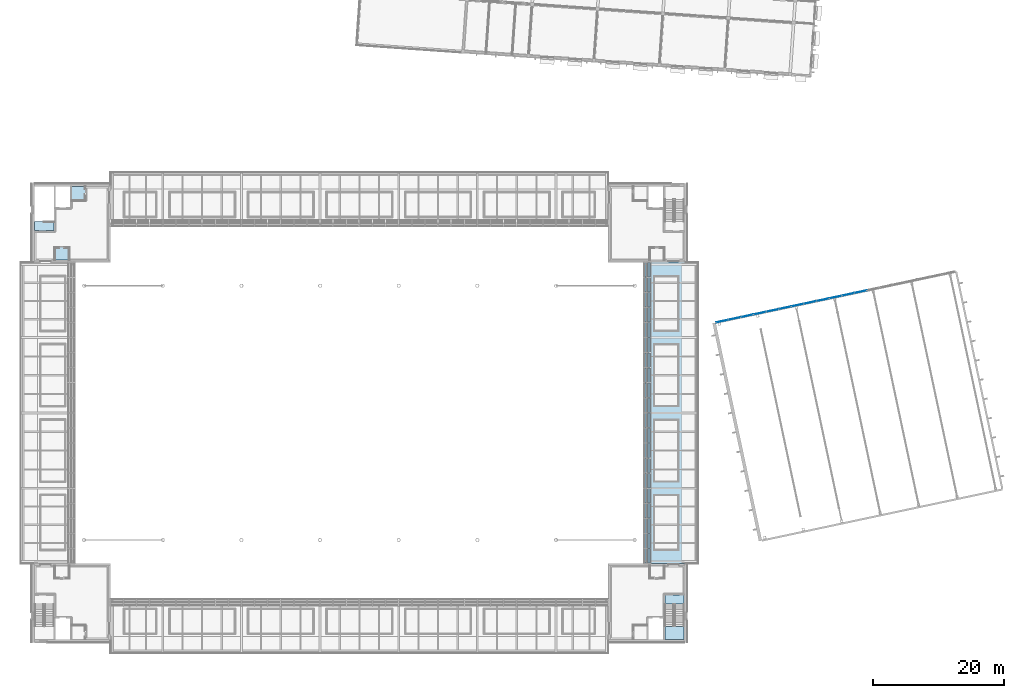
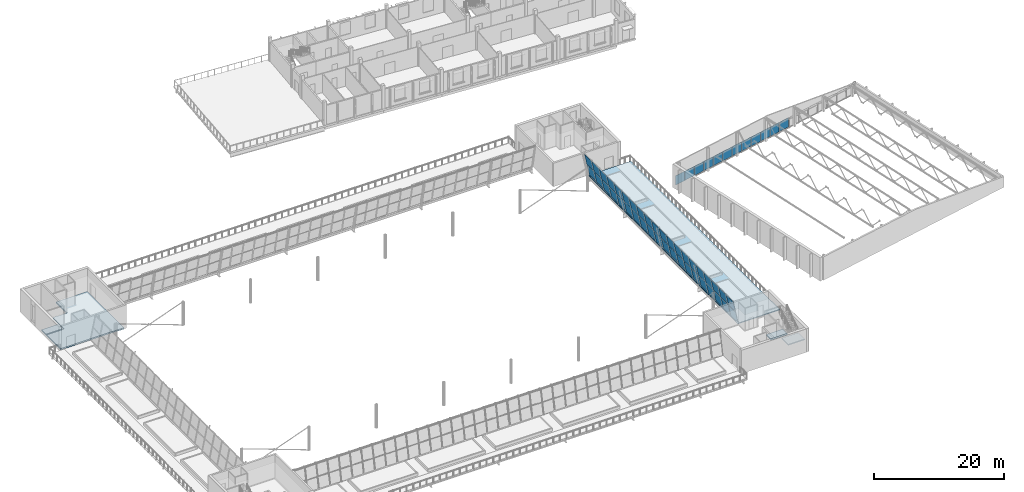
# One storey, part 27 of 58: 52 plates, 5 slabs, 3 elements without a shape of their own.
"""IFC4 building model written with IfcOpenShell, lengths in metres."""

from ifc_helpers import new_model, si_unit, direction, frame, origin, origin_2d, place, context, subcontext, project, spatial, polyline, rectangle, outline, extrude, material, layer, layer_set, type_object, element, aggregate, save


model = new_model("IFC4")

# Units and contexts
model_context = context("Model", 3, precision=1e-05, world=origin(), true_north=direction((0.0, 1.0)))
body_context = subcontext(model_context, "Body", "Model", "MODEL_VIEW")
ifc_project = project(units=[si_unit("LENGTHUNIT", "METRE"), si_unit("AREAUNIT", "SQUARE_METRE"), si_unit("VOLUMEUNIT", "CUBIC_METRE"), si_unit("PLANEANGLEUNIT", "RADIAN"), si_unit("MASSUNIT", "GRAM", prefix="KILO")], contexts=[model_context])

# Site, building, storey
site_placement = place(None, origin())
site = spatial("IfcSite", under=ifc_project, at=site_placement, CompositionType="ELEMENT")
building_placement = place(site_placement, origin())
building = spatial("IfcBuilding", under=site, at=building_placement, Name="Windward Yard Aquatics Centre", CompositionType="ELEMENT")
storey_placement = place(building_placement, frame((0.0, 0.0, 13.800048828125)))
storey = spatial("IfcBuildingStorey", under=building, at=storey_placement, Name="L03", CompositionType="ELEMENT", Elevation=13.800048828125)

# Curtain wall, plates
ifc_material_1 = material(Name="Aluminium and glass", Category="aluminium")
ifc_layer_1 = layer(ifc_material_1, 0.159912109375)
ifc_layer_set_1 = layer_set([ifc_layer_1], Name="D curtain wall 160")
curtain_wall_type_1 = type_object("IfcCurtainWallType", Name="D curtain wall 160", PredefinedType="NOTDEFINED", material=ifc_layer_set_1)
curtain_wall_1_placement = place(storey_placement, origin())
curtain_wall_1 = element("IfcCurtainWall", 1, at=curtain_wall_1_placement, inside=storey, type_object=curtain_wall_type_1, Name="North glazing L03", PredefinedType="NOTDEFINED")
ifc_material_2 = material(Name="Laminated low-iron glass", Category="glass")
ifc_layer_2 = layer(ifc_material_2, 0.028076171875)
ifc_layer_set_2 = layer_set([ifc_layer_2], Name="D curtain wall glass panel 28")
plate_type_1 = type_object("IfcPlateType", Name="D curtain wall glass panel 28", PredefinedType="CURTAIN_PANEL", material=ifc_layer_set_2)
plate_1_placement = place(storey_placement, frame((157.345947265625, 74.989501953125, 0.1201171875), z_axis=(0.0, 0.0, 1.0), x_axis=(0.978147594815, 0.207911718662, 0.0)))
plate_1 = element("IfcPlate", 2, at=plate_1_placement, type_object=plate_type_1, Name="DCW-L03 panel 1.1", PredefinedType="CURTAIN_PANEL", context=body_context, shape_type="SweptSolid", body=[
    extrude(rectangle(XDim=1.875732421875, YDim=0.028076171875, at=origin_2d()), origin(), (0.0, 0.0, 1.0), 1.760009765625),
])
plate_2_placement = place(storey_placement, frame((159.254150390625, 75.395263671875, 0.1201171875), z_axis=(0.0, 0.0, 1.0), x_axis=(0.978147594815, 0.207911718662, 0.0)))
plate_2 = element("IfcPlate", 3, at=plate_2_placement, type_object=plate_type_1, Name="DCW-L03 panel 2.1", PredefinedType="CURTAIN_PANEL", context=body_context, shape_type="SweptSolid", body=[
    extrude(rectangle(XDim=1.90576171875, YDim=0.028076171875, at=origin_2d()), origin(), (0.0, 0.0, 1.0), 1.760009765625),
])
plate_3_placement = place(storey_placement, frame((161.1767578125, 75.803955078125, 0.1201171875), z_axis=(0.0, 0.0, 1.0), x_axis=(0.978147594815, 0.207911718662, 0.0)))
plate_3 = element("IfcPlate", 4, at=plate_3_placement, type_object=plate_type_1, Name="DCW-L03 panel 3.1", PredefinedType="CURTAIN_PANEL", context=body_context, shape_type="SweptSolid", body=[
    extrude(rectangle(XDim=1.90576171875, YDim=0.028076171875, at=origin_2d()), origin(), (0.0, 0.0, 1.0), 1.760009765625),
])
plate_4_placement = place(storey_placement, frame((163.099609375, 76.212646484375, 0.1201171875), z_axis=(0.0, 0.0, 1.0), x_axis=(0.978147594815, 0.207911718662, 0.0)))
plate_4 = element("IfcPlate", 5, at=plate_4_placement, type_object=plate_type_1, Name="DCW-L03 panel 4.1", PredefinedType="CURTAIN_PANEL", context=body_context, shape_type="SweptSolid", body=[
    extrude(rectangle(XDim=1.90576171875, YDim=0.028076171875, at=origin_2d()), origin(), (0.0, 0.0, 1.0), 1.760009765625),
])
plate_5_placement = place(storey_placement, frame((165.0224609375, 76.621337890625, 0.1201171875), z_axis=(0.0, 0.0, 1.0), x_axis=(0.978147594815, 0.207911718662, 0.0)))
plate_5 = element("IfcPlate", 6, at=plate_5_placement, type_object=plate_type_1, Name="DCW-L03 panel 5.1", PredefinedType="CURTAIN_PANEL", context=body_context, shape_type="SweptSolid", body=[
    extrude(rectangle(XDim=1.90576171875, YDim=0.028076171875, at=origin_2d()), origin(), (0.0, 0.0, 1.0), 1.760009765625),
])
plate_6_placement = place(storey_placement, frame((166.9453125, 77.030029296875, 0.1201171875), z_axis=(0.0, 0.0, 1.0), x_axis=(0.978147594815, 0.207911718662, 0.0)))
plate_6 = element("IfcPlate", 7, at=plate_6_placement, type_object=plate_type_1, Name="DCW-L03 panel 6.1", PredefinedType="CURTAIN_PANEL", context=body_context, shape_type="SweptSolid", body=[
    extrude(rectangle(XDim=1.90576171875, YDim=0.028076171875, at=origin_2d()), origin(), (0.0, 0.0, 1.0), 1.760009765625),
])
plate_7_placement = place(storey_placement, frame((168.8681640625, 77.438720703125, 0.1201171875), z_axis=(0.0, 0.0, 1.0), x_axis=(0.978147594815, 0.207911718662, 0.0)))
plate_7 = element("IfcPlate", 8, at=plate_7_placement, type_object=plate_type_1, Name="DCW-L03 panel 7.1", PredefinedType="CURTAIN_PANEL", context=body_context, shape_type="SweptSolid", body=[
    extrude(rectangle(XDim=1.90576171875, YDim=0.028076171875, at=origin_2d()), origin(), (0.0, 0.0, 1.0), 1.760009765625),
])
plate_8_placement = place(storey_placement, frame((170.791015625, 77.847412109375, 0.1201171875), z_axis=(0.0, 0.0, 1.0), x_axis=(0.978147594815, 0.207911718662, 0.0)))
plate_8 = element("IfcPlate", 9, at=plate_8_placement, type_object=plate_type_1, Name="DCW-L03 panel 8.1", PredefinedType="CURTAIN_PANEL", context=body_context, shape_type="SweptSolid", body=[
    extrude(rectangle(XDim=1.90576171875, YDim=0.028076171875, at=origin_2d()), origin(), (0.0, 0.0, 1.0), 1.760009765625),
])
plate_9_placement = place(storey_placement, frame((172.7138671875, 78.256103515625, 0.1201171875), z_axis=(0.0, 0.0, 1.0), x_axis=(0.978147594815, 0.207911718662, 0.0)))
plate_9 = element("IfcPlate", 10, at=plate_9_placement, type_object=plate_type_1, Name="DCW-L03 panel 9.1", PredefinedType="CURTAIN_PANEL", context=body_context, shape_type="SweptSolid", body=[
    extrude(rectangle(XDim=1.90576171875, YDim=0.028076171875, at=origin_2d()), origin(), (0.0, 0.0, 1.0), 1.760009765625),
])
plate_10_placement = place(storey_placement, frame((174.63671875, 78.664794921875, 0.1201171875), z_axis=(0.0, 0.0, 1.0), x_axis=(0.978147594815, 0.207911718662, 0.0)))
plate_10 = element("IfcPlate", 11, at=plate_10_placement, type_object=plate_type_1, Name="DCW-L03 panel 10.1", PredefinedType="CURTAIN_PANEL", context=body_context, shape_type="SweptSolid", body=[
    extrude(rectangle(XDim=1.90576171875, YDim=0.028076171875, at=origin_2d()), origin(), (0.0, 0.0, 1.0), 1.760009765625),
])
plate_11_placement = place(storey_placement, frame((176.5595703125, 79.073486328125, 0.1201171875), z_axis=(0.0, 0.0, 1.0), x_axis=(0.978147594815, 0.207911718662, 0.0)))
plate_11 = element("IfcPlate", 12, at=plate_11_placement, type_object=plate_type_1, Name="DCW-L03 panel 11.1", PredefinedType="CURTAIN_PANEL", context=body_context, shape_type="SweptSolid", body=[
    extrude(rectangle(XDim=1.90576171875, YDim=0.028076171875, at=origin_2d()), origin(), (0.0, 0.0, 1.0), 1.760009765625),
])
plate_12_placement = place(storey_placement, frame((178.482421875, 79.482177734375, 0.1201171875), z_axis=(0.0, 0.0, 1.0), x_axis=(0.978147594815, 0.207911718662, 0.0)))
plate_12 = element("IfcPlate", 13, at=plate_12_placement, type_object=plate_type_1, Name="DCW-L03 panel 12.1", PredefinedType="CURTAIN_PANEL", context=body_context, shape_type="SweptSolid", body=[
    extrude(rectangle(XDim=1.90576171875, YDim=0.028076171875, at=origin_2d()), origin(), (0.0, 0.0, 1.0), 1.760009765625),
])
aggregate(curtain_wall_1, [plate_1, plate_2, plate_3, plate_4, plate_5, plate_6, plate_7, plate_8, plate_9, plate_10, plate_11, plate_12])

# Slabs
ifc_material_3 = material(Name="Concrete C35/45", Category="concrete")
ifc_layer_3 = layer(ifc_material_3, 0.25)
ifc_layer_set_3 = layer_set([ifc_layer_3], Name="H Core Floor Concrete C35/45 250")
slab_type_1 = type_object("IfcSlabType", Name="H Core Floor Concrete C35/45 250", PredefinedType="FLOOR", material=ifc_layer_set_3)
slab_1_placement = place(storey_placement, frame((0.0, 0.0, -0.25)))
element("IfcSlab", 14, at=slab_1_placement, inside=storey, type_object=slab_type_1, Name="L03 stair floor landing SE", PredefinedType="FLOOR", context=body_context, shape_type="SweptSolid", body=[
    extrude(outline(polyline([(148.60009765625, 31.800048828125), (151.550048828125, 31.800048828125), (151.550048828125, 33.199951171875), (148.60009765625, 33.199951171875), (148.60009765625, 31.800048828125)])), origin(), (0.0, 0.0, 1.0), 0.25),
])
slab_2_placement = place(storey_placement, frame((0.0, 0.0, -0.25)))
element("IfcSlab", 15, at=slab_2_placement, inside=storey, type_object=slab_type_1, Name="L03 core floor NW", PredefinedType="FLOOR", context=body_context, shape_type="SweptSolid", body=[
    extrude(outline(polyline([(52.449951171875, 84.300048828125), (63.699951171875, 84.300048828125), (63.699951171875, 95.550048828125), (58.10009765625, 95.550048828125), (58.10009765625, 92.14990234375), (55.60009765625, 92.14990234375), (55.60009765625, 88.60009765625), (52.449951171875, 88.60009765625), (52.449951171875, 84.300048828125)])), origin(), (0.0, 0.0, 1.0), 0.25),
])
slab_3_placement = place(storey_placement, frame((0.0, 0.0, -0.25)))
element("IfcSlab", 16, at=slab_3_placement, inside=storey, type_object=slab_type_1, Name="L03 stair floor landing NW", PredefinedType="FLOOR", context=body_context, shape_type="SweptSolid", body=[
    extrude(outline(polyline([(52.449951171875, 88.800048828125), (55.39990234375, 88.800048828125), (55.39990234375, 90.199951171875), (52.449951171875, 90.199951171875), (52.449951171875, 88.800048828125)])), origin(), (0.0, 0.0, 1.0), 0.25),
])

# Stair, slab
stair_type = type_object("IfcStairType", Name="H Core Stair Concrete C35/45 1400", PredefinedType="HALF_TURN_STAIR", material=ifc_material_3)
stair_placement = place(storey_placement, origin())
stair = element("IfcStair", 17, at=stair_placement, inside=storey, type_object=stair_type, Name="L03 Stair SE", PredefinedType="HALF_TURN_STAIR")
ifc_layer_4 = layer(ifc_material_3, 0.199951171875)
ifc_layer_set_4 = layer_set([ifc_layer_4], Name="H Stair Landing Concrete C35/45 200")
slab_type_2 = type_object("IfcSlabType", Name="H Stair Landing Concrete C35/45 200", PredefinedType="LANDING", material=ifc_layer_set_4)
slab_4_placement = place(storey_placement, frame((0.0, 0.0, 2.0)))
slab_4 = element("IfcSlab", 18, at=slab_4_placement, type_object=slab_type_2, Name="ST2 landing 1", PredefinedType="LANDING", context=body_context, shape_type="SweptSolid", body=[
    extrude(outline(polyline([(148.60009765625, 26.449951171875), (151.550048828125, 26.449951171875), (151.550048828125, 28.43994140625), (148.60009765625, 28.43994140625), (148.60009765625, 26.449951171875)])), origin(), (0.0, 0.0, 1.0), 0.199951171875),
])
aggregate(stair, [slab_4])

# Slab
ifc_material_4 = material(Name="Bituminous waterproofing membrane with root barrier")
ifc_layer_5 = layer(ifc_material_4, 0.005, Name="Waterproofing and root barrier")
ifc_material_5 = material(Name="Cement screed laid to falls")
ifc_layer_6 = layer(ifc_material_5, 0.025, Name="Screed to falls")
ifc_layer_7 = layer(ifc_material_3, 0.12, Name="Structure")
ifc_layer_set_5 = layer_set([ifc_layer_5, ifc_layer_6, ifc_layer_7], Name="H terrace slab 150 C35/45")
slab_type_3 = type_object("IfcSlabType", Name="H terrace slab 150 C35/45", PredefinedType="FLOOR", material=ifc_layer_set_5)
slab_5_placement = place(storey_placement, frame((0.0, 0.0, -0.150146484375)))
element("IfcSlab", 19, at=slab_5_placement, inside=storey, type_object=slab_type_3, Name="H.T1.E", PredefinedType="FLOOR", context=body_context, shape_type="SweptSolid", body=[
    extrude(outline(polyline([(146.290283203125, 38.0), (153.790283203125, 38.0), (153.790283203125, 84.0), (146.290283203125, 84.0), (146.290283203125, 38.0)])), origin(), (0.0, 0.0, 1.0), 0.150146484375),
])

# Curtain wall, plates
ifc_material_6 = material(Name="Glass and aluminium curtain wall", Category="aluminium")
ifc_layer_8 = layer(ifc_material_6, 0.179931640625)
ifc_layer_set_6 = layer_set([ifc_layer_8], Name="H curtain wall tier 2 double glazed 6+16+6")
curtain_wall_type_2 = type_object("IfcCurtainWallType", Name="H curtain wall tier 2 double glazed 6+16+6", PredefinedType="NOTDEFINED", material=ifc_layer_set_6)
curtain_wall_2_placement = place(storey_placement, origin())
curtain_wall_2 = element("IfcCurtainWall", 20, at=curtain_wall_2_placement, inside=storey, type_object=curtain_wall_type_2, Name="Tier 2 glazing E L03", PredefinedType="NOTDEFINED")
ifc_material_7 = material(Name="Low-iron glass", Category="glass")
ifc_layer_9 = layer(ifc_material_7, 0.006, Name="Outer pane")
ifc_material_8 = material(Name="Argon-filled cavity")
ifc_layer_10 = layer(ifc_material_8, 0.016, Name="Cavity")
ifc_layer_11 = layer(ifc_material_7, 0.006, Name="Inner pane")
ifc_layer_set_7 = layer_set([ifc_layer_9, ifc_layer_10, ifc_layer_11], Name="H tier 2 glass low-e double glazed unit 28")
plate_type_2 = type_object("IfcPlateType", Name="H tier 2 glass low-e double glazed unit 28", PredefinedType="CURTAIN_PANEL", material=ifc_layer_set_7)
plate_13_placement = place(storey_placement, frame((145.966064453125, 38.06494140625, 2.15380859375), z_axis=(0.979914212601, 0.0, 0.199419497399), x_axis=(0.199419497399, 0.0, -0.979914212601)))
plate_13 = element("IfcPlate", 21, at=plate_13_placement, type_object=plate_type_2, Name="G2EA panel 1.1", PredefinedType="CURTAIN_PANEL", context=body_context, shape_type="SweptSolid", body=[
    extrude(outline(polyline([(0.0, 0.0), (2.088582, 0.0), (2.088582, 2.202637), (0.0, 2.202637), (0.0, 0.0)])), origin(), (0.0, 0.0, -1.0), 0.028076171875),
])
plate_14_placement = place(storey_placement, frame((145.528564453125, 38.06494140625, 4.3046875), z_axis=(0.979943605564, 0.0, 0.199275010764), x_axis=(0.199275010764, 0.0, -0.979943605564)))
plate_14 = element("IfcPlate", 22, at=plate_14_placement, type_object=plate_type_2, Name="G2EA panel 1.2", PredefinedType="CURTAIN_PANEL", context=body_context, shape_type="SweptSolid", body=[
    extrude(outline(polyline([(0.0, 0.0), (2.094997, 0.0), (2.094997, 2.202637), (0.0, 2.202637), (0.0, 0.0)])), origin(), (0.0, 0.0, -1.0), 0.028076171875),
])
plate_15_placement = place(storey_placement, frame((145.966064453125, 40.33251953125, 2.15380859375), z_axis=(0.979914212601, 0.0, 0.199419497399), x_axis=(0.199419497399, 0.0, -0.979914212601)))
plate_15 = element("IfcPlate", 23, at=plate_15_placement, type_object=plate_type_2, Name="G2EA panel 2.1", PredefinedType="CURTAIN_PANEL", context=body_context, shape_type="SweptSolid", body=[
    extrude(outline(polyline([(0.0, 0.0), (2.088582, 0.0), (2.088582, 2.234863), (0.0, 2.234863), (0.0, 0.0)])), origin(), (0.0, 0.0, -1.0), 0.028076171875),
])
plate_16_placement = place(storey_placement, frame((145.528564453125, 40.33251953125, 4.3046875), z_axis=(0.979943605564, 0.0, 0.199275010764), x_axis=(0.199275010764, 0.0, -0.979943605564)))
plate_16 = element("IfcPlate", 24, at=plate_16_placement, type_object=plate_type_2, Name="G2EA panel 2.2", PredefinedType="CURTAIN_PANEL", context=body_context, shape_type="SweptSolid", body=[
    extrude(outline(polyline([(0.0, 0.0), (2.094997, 0.0), (2.094997, 2.234863), (0.0, 2.234863), (0.0, 0.0)])), origin(), (0.0, 0.0, -1.0), 0.028076171875),
])
plate_17_placement = place(storey_placement, frame((145.966064453125, 42.632568359375, 2.15380859375), z_axis=(0.979914212601, 0.0, 0.199419497399), x_axis=(0.199419497399, 0.0, -0.979914212601)))
plate_17 = element("IfcPlate", 25, at=plate_17_placement, type_object=plate_type_2, Name="G2EA panel 3.1", PredefinedType="CURTAIN_PANEL", context=body_context, shape_type="SweptSolid", body=[
    extrude(outline(polyline([(0.0, 0.0), (2.088582, 0.0), (2.088582, 2.234863), (0.0, 2.234863), (0.0, 0.0)])), origin(), (0.0, 0.0, -1.0), 0.028076171875),
])
plate_18_placement = place(storey_placement, frame((145.528564453125, 42.632568359375, 4.3046875), z_axis=(0.979943605564, 0.0, 0.199275010764), x_axis=(0.199275010764, 0.0, -0.979943605564)))
plate_18 = element("IfcPlate", 26, at=plate_18_placement, type_object=plate_type_2, Name="G2EA panel 3.2", PredefinedType="CURTAIN_PANEL", context=body_context, shape_type="SweptSolid", body=[
    extrude(outline(polyline([(0.0, 0.0), (2.094997, 0.0), (2.094997, 2.234863), (0.0, 2.234863), (0.0, 0.0)])), origin(), (0.0, 0.0, -1.0), 0.028076171875),
])
plate_19_placement = place(storey_placement, frame((145.966064453125, 44.9326171875, 2.15380859375), z_axis=(0.979914212601, 0.0, 0.199419497399), x_axis=(0.199419497399, 0.0, -0.979914212601)))
plate_19 = element("IfcPlate", 27, at=plate_19_placement, type_object=plate_type_2, Name="G2EA panel 4.1", PredefinedType="CURTAIN_PANEL", context=body_context, shape_type="SweptSolid", body=[
    extrude(outline(polyline([(0.0, 0.0), (2.088582, 0.0), (2.088582, 2.234863), (0.0, 2.234863), (0.0, 0.0)])), origin(), (0.0, 0.0, -1.0), 0.028076171875),
])
plate_20_placement = place(storey_placement, frame((145.528564453125, 44.9326171875, 4.3046875), z_axis=(0.979943605564, 0.0, 0.199275010764), x_axis=(0.199275010764, 0.0, -0.979943605564)))
plate_20 = element("IfcPlate", 28, at=plate_20_placement, type_object=plate_type_2, Name="G2EA panel 4.2", PredefinedType="CURTAIN_PANEL", context=body_context, shape_type="SweptSolid", body=[
    extrude(outline(polyline([(0.0, 0.0), (2.094997, 0.0), (2.094997, 2.234863), (0.0, 2.234863), (0.0, 0.0)])), origin(), (0.0, 0.0, -1.0), 0.028076171875),
])
plate_21_placement = place(storey_placement, frame((145.966064453125, 47.232421875, 2.15380859375), z_axis=(0.979914212601, 0.0, 0.199419497399), x_axis=(0.199419497399, 0.0, -0.979914212601)))
plate_21 = element("IfcPlate", 29, at=plate_21_placement, type_object=plate_type_2, Name="G2EA panel 5.1", PredefinedType="CURTAIN_PANEL", context=body_context, shape_type="SweptSolid", body=[
    extrude(outline(polyline([(0.0, 0.0), (2.088582, 0.0), (2.088582, 2.235107), (0.0, 2.235107), (0.0, 0.0)])), origin(), (0.0, 0.0, -1.0), 0.028076171875),
])
plate_22_placement = place(storey_placement, frame((145.528564453125, 47.232421875, 4.3046875), z_axis=(0.979943605564, 0.0, 0.199275010764), x_axis=(0.199275010764, 0.0, -0.979943605564)))
plate_22 = element("IfcPlate", 30, at=plate_22_placement, type_object=plate_type_2, Name="G2EA panel 5.2", PredefinedType="CURTAIN_PANEL", context=body_context, shape_type="SweptSolid", body=[
    extrude(outline(polyline([(0.0, 0.0), (2.094997, 0.0), (2.094997, 2.235107), (0.0, 2.235107), (0.0, 0.0)])), origin(), (0.0, 0.0, -1.0), 0.028076171875),
])
plate_23_placement = place(storey_placement, frame((145.966064453125, 49.532470703125, 2.15380859375), z_axis=(0.979914212601, 0.0, 0.199419497399), x_axis=(0.199419497399, 0.0, -0.979914212601)))
plate_23 = element("IfcPlate", 31, at=plate_23_placement, type_object=plate_type_2, Name="G2EA panel 6.1", PredefinedType="CURTAIN_PANEL", context=body_context, shape_type="SweptSolid", body=[
    extrude(outline(polyline([(0.0, 0.0), (2.088582, 0.0), (2.088582, 2.235107), (0.0, 2.235107), (0.0, 0.0)])), origin(), (0.0, 0.0, -1.0), 0.028076171875),
])
plate_24_placement = place(storey_placement, frame((145.528564453125, 49.532470703125, 4.3046875), z_axis=(0.979943605564, 0.0, 0.199275010764), x_axis=(0.199275010764, 0.0, -0.979943605564)))
plate_24 = element("IfcPlate", 32, at=plate_24_placement, type_object=plate_type_2, Name="G2EA panel 6.2", PredefinedType="CURTAIN_PANEL", context=body_context, shape_type="SweptSolid", body=[
    extrude(outline(polyline([(0.0, 0.0), (2.094997, 0.0), (2.094997, 2.235107), (0.0, 2.235107), (0.0, 0.0)])), origin(), (0.0, 0.0, -1.0), 0.028076171875),
])
plate_25_placement = place(storey_placement, frame((145.966064453125, 51.83251953125, 2.15380859375), z_axis=(0.979914212601, 0.0, 0.199419497399), x_axis=(0.199419497399, 0.0, -0.979914212601)))
plate_25 = element("IfcPlate", 33, at=plate_25_placement, type_object=plate_type_2, Name="G2EA panel 7.1", PredefinedType="CURTAIN_PANEL", context=body_context, shape_type="SweptSolid", body=[
    extrude(outline(polyline([(0.0, 0.0), (2.088582, 0.0), (2.088582, 2.234863), (0.0, 2.234863), (0.0, 0.0)])), origin(), (0.0, 0.0, -1.0), 0.028076171875),
])
plate_26_placement = place(storey_placement, frame((145.528564453125, 51.83251953125, 4.3046875), z_axis=(0.979943605564, 0.0, 0.199275010764), x_axis=(0.199275010764, 0.0, -0.979943605564)))
plate_26 = element("IfcPlate", 34, at=plate_26_placement, type_object=plate_type_2, Name="G2EA panel 7.2", PredefinedType="CURTAIN_PANEL", context=body_context, shape_type="SweptSolid", body=[
    extrude(outline(polyline([(0.0, 0.0), (2.094997, 0.0), (2.094997, 2.234863), (0.0, 2.234863), (0.0, 0.0)])), origin(), (0.0, 0.0, -1.0), 0.028076171875),
])
plate_27_placement = place(storey_placement, frame((145.966064453125, 54.132568359375, 2.15380859375), z_axis=(0.979914212601, 0.0, 0.199419497399), x_axis=(0.199419497399, 0.0, -0.979914212601)))
plate_27 = element("IfcPlate", 35, at=plate_27_placement, type_object=plate_type_2, Name="G2EA panel 8.1", PredefinedType="CURTAIN_PANEL", context=body_context, shape_type="SweptSolid", body=[
    extrude(outline(polyline([(0.0, 0.0), (2.088582, 0.0), (2.088582, 2.234863), (0.0, 2.234863), (0.0, 0.0)])), origin(), (0.0, 0.0, -1.0), 0.028076171875),
])
plate_28_placement = place(storey_placement, frame((145.528564453125, 54.132568359375, 4.3046875), z_axis=(0.979943605564, 0.0, 0.199275010764), x_axis=(0.199275010764, 0.0, -0.979943605564)))
plate_28 = element("IfcPlate", 36, at=plate_28_placement, type_object=plate_type_2, Name="G2EA panel 8.2", PredefinedType="CURTAIN_PANEL", context=body_context, shape_type="SweptSolid", body=[
    extrude(outline(polyline([(0.0, 0.0), (2.094997, 0.0), (2.094997, 2.234863), (0.0, 2.234863), (0.0, 0.0)])), origin(), (0.0, 0.0, -1.0), 0.028076171875),
])
plate_29_placement = place(storey_placement, frame((145.966064453125, 56.4326171875, 2.15380859375), z_axis=(0.979914212601, 0.0, 0.199419497399), x_axis=(0.199419497399, 0.0, -0.979914212601)))
plate_29 = element("IfcPlate", 37, at=plate_29_placement, type_object=plate_type_2, Name="G2EA panel 9.1", PredefinedType="CURTAIN_PANEL", context=body_context, shape_type="SweptSolid", body=[
    extrude(outline(polyline([(0.0, 0.0), (2.088582, 0.0), (2.088582, 2.234863), (0.0, 2.234863), (0.0, 0.0)])), origin(), (0.0, 0.0, -1.0), 0.028076171875),
])
plate_30_placement = place(storey_placement, frame((145.528564453125, 56.4326171875, 4.3046875), z_axis=(0.979943605564, 0.0, 0.199275010764), x_axis=(0.199275010764, 0.0, -0.979943605564)))
plate_30 = element("IfcPlate", 38, at=plate_30_placement, type_object=plate_type_2, Name="G2EA panel 9.2", PredefinedType="CURTAIN_PANEL", context=body_context, shape_type="SweptSolid", body=[
    extrude(outline(polyline([(0.0, 0.0), (2.094997, 0.0), (2.094997, 2.234863), (0.0, 2.234863), (0.0, 0.0)])), origin(), (0.0, 0.0, -1.0), 0.028076171875),
])
plate_31_placement = place(storey_placement, frame((145.966064453125, 58.732421875, 2.15380859375), z_axis=(0.979914212601, 0.0, 0.199419497399), x_axis=(0.199419497399, 0.0, -0.979914212601)))
plate_31 = element("IfcPlate", 39, at=plate_31_placement, type_object=plate_type_2, Name="G2EA panel 10.1", PredefinedType="CURTAIN_PANEL", context=body_context, shape_type="SweptSolid", body=[
    extrude(outline(polyline([(0.0, 0.0), (2.088582, 0.0), (2.088582, 2.235107), (0.0, 2.235107), (0.0, 0.0)])), origin(), (0.0, 0.0, -1.0), 0.028076171875),
])
plate_32_placement = place(storey_placement, frame((145.528564453125, 58.732421875, 4.3046875), z_axis=(0.979943605564, 0.0, 0.199275010764), x_axis=(0.199275010764, 0.0, -0.979943605564)))
plate_32 = element("IfcPlate", 40, at=plate_32_placement, type_object=plate_type_2, Name="G2EA panel 10.2", PredefinedType="CURTAIN_PANEL", context=body_context, shape_type="SweptSolid", body=[
    extrude(outline(polyline([(0.0, 0.0), (2.094997, 0.0), (2.094997, 2.235107), (0.0, 2.235107), (0.0, 0.0)])), origin(), (0.0, 0.0, -1.0), 0.028076171875),
])
plate_33_placement = place(storey_placement, frame((145.966064453125, 61.032470703125, 2.15380859375), z_axis=(0.979914212601, 0.0, 0.199419497399), x_axis=(0.199419497399, 0.0, -0.979914212601)))
plate_33 = element("IfcPlate", 41, at=plate_33_placement, type_object=plate_type_2, Name="G2EA panel 11.1", PredefinedType="CURTAIN_PANEL", context=body_context, shape_type="SweptSolid", body=[
    extrude(outline(polyline([(0.0, 0.0), (2.088582, 0.0), (2.088582, 2.235107), (0.0, 2.235107), (0.0, 0.0)])), origin(), (0.0, 0.0, -1.0), 0.028076171875),
])
plate_34_placement = place(storey_placement, frame((145.528564453125, 61.032470703125, 4.3046875), z_axis=(0.979943605564, 0.0, 0.199275010764), x_axis=(0.199275010764, 0.0, -0.979943605564)))
plate_34 = element("IfcPlate", 42, at=plate_34_placement, type_object=plate_type_2, Name="G2EA panel 11.2", PredefinedType="CURTAIN_PANEL", context=body_context, shape_type="SweptSolid", body=[
    extrude(outline(polyline([(0.0, 0.0), (2.094997, 0.0), (2.094997, 2.235107), (0.0, 2.235107), (0.0, 0.0)])), origin(), (0.0, 0.0, -1.0), 0.028076171875),
])
plate_35_placement = place(storey_placement, frame((145.966064453125, 63.33251953125, 2.15380859375), z_axis=(0.979914212601, 0.0, 0.199419497399), x_axis=(0.199419497399, 0.0, -0.979914212601)))
plate_35 = element("IfcPlate", 43, at=plate_35_placement, type_object=plate_type_2, Name="G2EA panel 12.1", PredefinedType="CURTAIN_PANEL", context=body_context, shape_type="SweptSolid", body=[
    extrude(outline(polyline([(0.0, 0.0), (2.088582, 0.0), (2.088582, 2.234863), (0.0, 2.234863), (0.0, 0.0)])), origin(), (0.0, 0.0, -1.0), 0.028076171875),
])
plate_36_placement = place(storey_placement, frame((145.528564453125, 63.33251953125, 4.3046875), z_axis=(0.979943605564, 0.0, 0.199275010764), x_axis=(0.199275010764, 0.0, -0.979943605564)))
plate_36 = element("IfcPlate", 44, at=plate_36_placement, type_object=plate_type_2, Name="G2EA panel 12.2", PredefinedType="CURTAIN_PANEL", context=body_context, shape_type="SweptSolid", body=[
    extrude(outline(polyline([(0.0, 0.0), (2.094997, 0.0), (2.094997, 2.234863), (0.0, 2.234863), (0.0, 0.0)])), origin(), (0.0, 0.0, -1.0), 0.028076171875),
])
plate_37_placement = place(storey_placement, frame((145.966064453125, 65.632568359375, 2.15380859375), z_axis=(0.979914212601, 0.0, 0.199419497399), x_axis=(0.199419497399, 0.0, -0.979914212601)))
plate_37 = element("IfcPlate", 45, at=plate_37_placement, type_object=plate_type_2, Name="G2EA panel 13.1", PredefinedType="CURTAIN_PANEL", context=body_context, shape_type="SweptSolid", body=[
    extrude(outline(polyline([(0.0, 0.0), (2.088582, 0.0), (2.088582, 2.234863), (0.0, 2.234863), (0.0, 0.0)])), origin(), (0.0, 0.0, -1.0), 0.028076171875),
])
plate_38_placement = place(storey_placement, frame((145.528564453125, 65.632568359375, 4.3046875), z_axis=(0.979943605564, 0.0, 0.199275010764), x_axis=(0.199275010764, 0.0, -0.979943605564)))
plate_38 = element("IfcPlate", 46, at=plate_38_placement, type_object=plate_type_2, Name="G2EA panel 13.2", PredefinedType="CURTAIN_PANEL", context=body_context, shape_type="SweptSolid", body=[
    extrude(outline(polyline([(0.0, 0.0), (2.094997, 0.0), (2.094997, 2.234863), (0.0, 2.234863), (0.0, 0.0)])), origin(), (0.0, 0.0, -1.0), 0.028076171875),
])
plate_39_placement = place(storey_placement, frame((145.966064453125, 67.9326171875, 2.15380859375), z_axis=(0.979914212601, 0.0, 0.199419497399), x_axis=(0.199419497399, 0.0, -0.979914212601)))
plate_39 = element("IfcPlate", 47, at=plate_39_placement, type_object=plate_type_2, Name="G2EA panel 14.1", PredefinedType="CURTAIN_PANEL", context=body_context, shape_type="SweptSolid", body=[
    extrude(outline(polyline([(0.0, 0.0), (2.088582, 0.0), (2.088582, 2.234863), (0.0, 2.234863), (0.0, 0.0)])), origin(), (0.0, 0.0, -1.0), 0.028076171875),
])
plate_40_placement = place(storey_placement, frame((145.528564453125, 67.9326171875, 4.3046875), z_axis=(0.979943605564, 0.0, 0.199275010764), x_axis=(0.199275010764, 0.0, -0.979943605564)))
plate_40 = element("IfcPlate", 48, at=plate_40_placement, type_object=plate_type_2, Name="G2EA panel 14.2", PredefinedType="CURTAIN_PANEL", context=body_context, shape_type="SweptSolid", body=[
    extrude(outline(polyline([(0.0, 0.0), (2.094997, 0.0), (2.094997, 2.234863), (0.0, 2.234863), (0.0, 0.0)])), origin(), (0.0, 0.0, -1.0), 0.028076171875),
])
plate_41_placement = place(storey_placement, frame((145.966064453125, 70.232421875, 2.15380859375), z_axis=(0.979914212601, 0.0, 0.199419497399), x_axis=(0.199419497399, 0.0, -0.979914212601)))
plate_41 = element("IfcPlate", 49, at=plate_41_placement, type_object=plate_type_2, Name="G2EA panel 15.1", PredefinedType="CURTAIN_PANEL", context=body_context, shape_type="SweptSolid", body=[
    extrude(outline(polyline([(0.0, 0.0), (2.088582, 0.0), (2.088582, 2.235107), (0.0, 2.235107), (0.0, 0.0)])), origin(), (0.0, 0.0, -1.0), 0.028076171875),
])
plate_42_placement = place(storey_placement, frame((145.528564453125, 70.232421875, 4.3046875), z_axis=(0.979943605564, 0.0, 0.199275010764), x_axis=(0.199275010764, 0.0, -0.979943605564)))
plate_42 = element("IfcPlate", 50, at=plate_42_placement, type_object=plate_type_2, Name="G2EA panel 15.2", PredefinedType="CURTAIN_PANEL", context=body_context, shape_type="SweptSolid", body=[
    extrude(outline(polyline([(0.0, 0.0), (2.094997, 0.0), (2.094997, 2.235107), (0.0, 2.235107), (0.0, 0.0)])), origin(), (0.0, 0.0, -1.0), 0.028076171875),
])
plate_43_placement = place(storey_placement, frame((145.966064453125, 72.532470703125, 2.15380859375), z_axis=(0.979914212601, 0.0, 0.199419497399), x_axis=(0.199419497399, 0.0, -0.979914212601)))
plate_43 = element("IfcPlate", 51, at=plate_43_placement, type_object=plate_type_2, Name="G2EA panel 16.1", PredefinedType="CURTAIN_PANEL", context=body_context, shape_type="SweptSolid", body=[
    extrude(outline(polyline([(0.0, 0.0), (2.088582, 0.0), (2.088582, 2.235107), (0.0, 2.235107), (0.0, 0.0)])), origin(), (0.0, 0.0, -1.0), 0.028076171875),
])
plate_44_placement = place(storey_placement, frame((145.528564453125, 72.532470703125, 4.3046875), z_axis=(0.979943605564, 0.0, 0.199275010764), x_axis=(0.199275010764, 0.0, -0.979943605564)))
plate_44 = element("IfcPlate", 52, at=plate_44_placement, type_object=plate_type_2, Name="G2EA panel 16.2", PredefinedType="CURTAIN_PANEL", context=body_context, shape_type="SweptSolid", body=[
    extrude(outline(polyline([(0.0, 0.0), (2.094997, 0.0), (2.094997, 2.235107), (0.0, 2.235107), (0.0, 0.0)])), origin(), (0.0, 0.0, -1.0), 0.028076171875),
])
plate_45_placement = place(storey_placement, frame((145.966064453125, 74.83251953125, 2.15380859375), z_axis=(0.979914212601, 0.0, 0.199419497399), x_axis=(0.199419497399, 0.0, -0.979914212601)))
plate_45 = element("IfcPlate", 53, at=plate_45_placement, type_object=plate_type_2, Name="G2EA panel 17.1", PredefinedType="CURTAIN_PANEL", context=body_context, shape_type="SweptSolid", body=[
    extrude(outline(polyline([(0.0, 0.0), (2.088582, 0.0), (2.088582, 2.234863), (0.0, 2.234863), (0.0, 0.0)])), origin(), (0.0, 0.0, -1.0), 0.028076171875),
])
plate_46_placement = place(storey_placement, frame((145.528564453125, 74.83251953125, 4.3046875), z_axis=(0.979943605564, 0.0, 0.199275010764), x_axis=(0.199275010764, 0.0, -0.979943605564)))
plate_46 = element("IfcPlate", 54, at=plate_46_placement, type_object=plate_type_2, Name="G2EA panel 17.2", PredefinedType="CURTAIN_PANEL", context=body_context, shape_type="SweptSolid", body=[
    extrude(outline(polyline([(0.0, 0.0), (2.094997, 0.0), (2.094997, 2.234863), (0.0, 2.234863), (0.0, 0.0)])), origin(), (0.0, 0.0, -1.0), 0.028076171875),
])
plate_47_placement = place(storey_placement, frame((145.966064453125, 77.132568359375, 2.15380859375), z_axis=(0.979914212601, 0.0, 0.199419497399), x_axis=(0.199419497399, 0.0, -0.979914212601)))
plate_47 = element("IfcPlate", 55, at=plate_47_placement, type_object=plate_type_2, Name="G2EA panel 18.1", PredefinedType="CURTAIN_PANEL", context=body_context, shape_type="SweptSolid", body=[
    extrude(outline(polyline([(0.0, 0.0), (2.088582, 0.0), (2.088582, 2.234863), (0.0, 2.234863), (0.0, 0.0)])), origin(), (0.0, 0.0, -1.0), 0.028076171875),
])
plate_48_placement = place(storey_placement, frame((145.528564453125, 77.132568359375, 4.3046875), z_axis=(0.979943605564, 0.0, 0.199275010764), x_axis=(0.199275010764, 0.0, -0.979943605564)))
plate_48 = element("IfcPlate", 56, at=plate_48_placement, type_object=plate_type_2, Name="G2EA panel 18.2", PredefinedType="CURTAIN_PANEL", context=body_context, shape_type="SweptSolid", body=[
    extrude(outline(polyline([(0.0, 0.0), (2.094997, 0.0), (2.094997, 2.234863), (0.0, 2.234863), (0.0, 0.0)])), origin(), (0.0, 0.0, -1.0), 0.028076171875),
])
plate_49_placement = place(storey_placement, frame((145.966064453125, 79.4326171875, 2.15380859375), z_axis=(0.979914212601, 0.0, 0.199419497399), x_axis=(0.199419497399, 0.0, -0.979914212601)))
plate_49 = element("IfcPlate", 57, at=plate_49_placement, type_object=plate_type_2, Name="G2EA panel 19.1", PredefinedType="CURTAIN_PANEL", context=body_context, shape_type="SweptSolid", body=[
    extrude(outline(polyline([(0.0, 0.0), (2.088582, 0.0), (2.088582, 2.234863), (0.0, 2.234863), (0.0, 0.0)])), origin(), (0.0, 0.0, -1.0), 0.028076171875),
])
plate_50_placement = place(storey_placement, frame((145.528564453125, 79.4326171875, 4.3046875), z_axis=(0.979943605564, 0.0, 0.199275010764), x_axis=(0.199275010764, 0.0, -0.979943605564)))
plate_50 = element("IfcPlate", 58, at=plate_50_placement, type_object=plate_type_2, Name="G2EA panel 19.2", PredefinedType="CURTAIN_PANEL", context=body_context, shape_type="SweptSolid", body=[
    extrude(outline(polyline([(0.0, 0.0), (2.094997, 0.0), (2.094997, 2.234863), (0.0, 2.234863), (0.0, 0.0)])), origin(), (0.0, 0.0, -1.0), 0.028076171875),
])
plate_51_placement = place(storey_placement, frame((145.966064453125, 81.732421875, 2.15380859375), z_axis=(0.979914212601, 0.0, 0.199419497399), x_axis=(0.199419497399, 0.0, -0.979914212601)))
plate_51 = element("IfcPlate", 59, at=plate_51_placement, type_object=plate_type_2, Name="G2EA panel 20.1", PredefinedType="CURTAIN_PANEL", context=body_context, shape_type="SweptSolid", body=[
    extrude(outline(polyline([(0.0, 0.0), (2.088582, 0.0), (2.088582, 2.202637), (0.0, 2.202637), (0.0, 0.0)])), origin(), (0.0, 0.0, -1.0), 0.028076171875),
])
plate_52_placement = place(storey_placement, frame((145.528564453125, 81.732421875, 4.3046875), z_axis=(0.979943605564, 0.0, 0.199275010764), x_axis=(0.199275010764, 0.0, -0.979943605564)))
plate_52 = element("IfcPlate", 60, at=plate_52_placement, type_object=plate_type_2, Name="G2EA panel 20.2", PredefinedType="CURTAIN_PANEL", context=body_context, shape_type="SweptSolid", body=[
    extrude(outline(polyline([(0.0, 0.0), (2.094997, 0.0), (2.094997, 2.202637), (0.0, 2.202637), (0.0, 0.0)])), origin(), (0.0, 0.0, -1.0), 0.028076171875),
])
aggregate(curtain_wall_2, [plate_13, plate_14, plate_15, plate_16, plate_17, plate_18, plate_19, plate_20, plate_21, plate_22, plate_23, plate_24, plate_25, plate_26, plate_27, plate_28, plate_29, plate_30, plate_31, plate_32, plate_33, plate_34, plate_35, plate_36, plate_37, plate_38, plate_39, plate_40, plate_41, plate_42, plate_43, plate_44, plate_45, plate_46, plate_47, plate_48, plate_49, plate_50, plate_51, plate_52])

save(model, "model.ifc")
